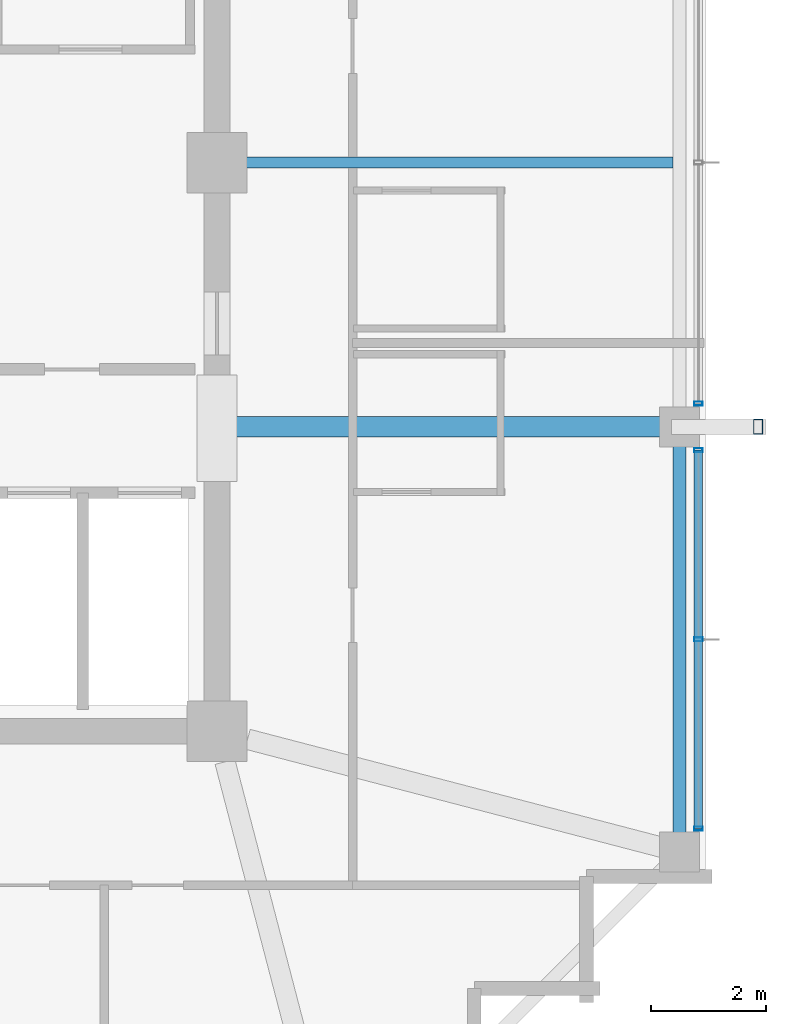
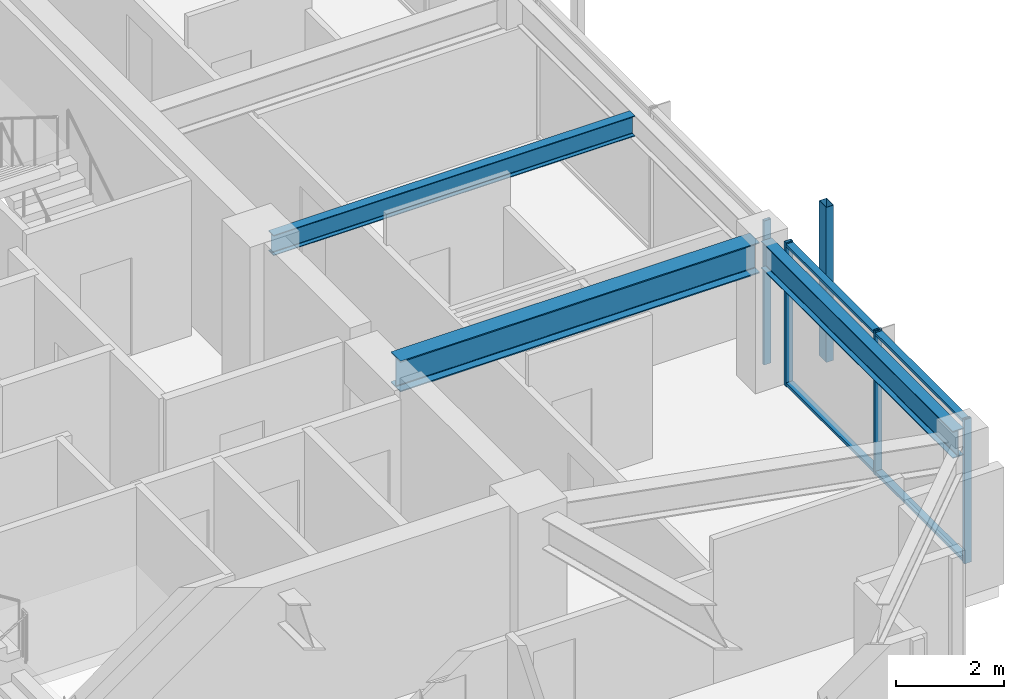
# One storey, part 11 of 31: 7 members, 3 beams, 2 elements without a shape of their own.
"""IFC4 building model written with IfcOpenShell, lengths in metres."""

from ifc_helpers import new_model, si_unit, direction, frame, origin, origin_2d, place, context, subcontext, project, spatial, hollow_rectangle, i_section, extrude, material, material_profile, profile_set, type_object, element, aggregate, save


model = new_model("IFC4")

# Units and contexts
model_context = context("Model", 3, precision=1e-05, world=origin(), true_north=direction((0.0, 1.0)))
body_context = subcontext(model_context, "Body", "Model", "MODEL_VIEW")
ifc_project = project(units=[si_unit("LENGTHUNIT", "METRE"), si_unit("AREAUNIT", "SQUARE_METRE"), si_unit("VOLUMEUNIT", "CUBIC_METRE"), si_unit("PLANEANGLEUNIT", "RADIAN"), si_unit("MASSUNIT", "GRAM", prefix="KILO")], contexts=[model_context])

# Site, building, storey
site_placement = place(None, origin())
site = spatial("IfcSite", under=ifc_project, at=site_placement, CompositionType="ELEMENT")
building_placement = place(site_placement, origin())
building = spatial("IfcBuilding", under=site, at=building_placement, Name="Kolvaren Belvedere", CompositionType="ELEMENT")
storey_placement = place(building_placement, frame((0.0, 0.0, 247.89990234375)))
storey = spatial("IfcBuildingStorey", under=building, at=storey_placement, Name="L72", CompositionType="ELEMENT", Elevation=247.89990234375)

# Beams
ifc_material_1 = material(Name="Structural steel ASTM A992 Grade 50", Category="steel")
ifc_material_profile_1 = material_profile(ifc_material_1, i_section(OverallWidth=0.35498046875, OverallDepth=0.696044921875, WebThickness=0.015380859375, FlangeThickness=0.02490234375, FilletRadius=0.02197265625, at=origin_2d()), Name="W27X146")
ifc_profile_set_1 = profile_set([ifc_material_profile_1], Name="Structural steel ASTM A992 Grade 50")
beam_type_1 = type_object("IfcBeamType", Name="BM-GIRD-W27X146", PredefinedType="BEAM", material=ifc_profile_set_1)
beam_1_placement = place(storey_placement, frame((10.125, -4.60009765625, 2.902099609375), z_axis=(1.0, 0.0, 0.0), x_axis=(0.0, 1.0, 0.0)))
element("IfcBeam", 1, at=beam_1_placement, inside=storey, type_object=beam_type_1, Name="L72 East Radial Girder M", PredefinedType="BEAM", context=body_context, shape_type="SweptSolid", body=[
    extrude(i_section(OverallWidth=0.35498046875, OverallDepth=0.696044921875, WebThickness=0.015380859375, FlangeThickness=0.02490234375, FilletRadius=0.02197265625, at=origin_2d()), origin(), (0.0, 0.0, 1.0), 7.66748046875),
])
ifc_material_2 = material(Name="Structural steel ASTM A992 Grade 50", Category="steel")
ifc_material_profile_2 = material_profile(ifc_material_2, i_section(OverallWidth=0.19091796875, OverallDepth=0.4599609375, WebThickness=0.010009765625, FlangeThickness=0.01611328125, FilletRadius=0.014892578125, at=origin_2d()), Name="W18X55")
ifc_profile_set_2 = profile_set([ifc_material_profile_2], Name="Structural steel ASTM A992 Grade 50")
beam_type_2 = type_object("IfcBeamType", Name="BM-JOIST-W18X55", PredefinedType="BEAM", material=ifc_profile_set_2)
beam_2_placement = place(storey_placement, frame((10.125, 0.0, 3.02001953125), z_axis=(1.0, 0.0, 0.0), x_axis=(0.0, 1.0, 0.0)))
element("IfcBeam", 2, at=beam_2_placement, inside=storey, type_object=beam_type_2, Name="L72 East Centre Floor Beam", PredefinedType="BEAM", context=body_context, shape_type="SweptSolid", body=[
    extrude(i_section(OverallWidth=0.19091796875, OverallDepth=0.4599609375, WebThickness=0.010009765625, FlangeThickness=0.01611328125, FilletRadius=0.014892578125, at=origin_2d()), origin(), (0.0, 0.0, 1.0), 7.71044921875),
])
ifc_material_3 = material(Name="Structural steel ASTM A992 Grade 50", Category="steel")
ifc_material_profile_3 = material_profile(ifc_material_3, i_section(OverallWidth=0.22900390625, OverallDepth=0.612060546875, WebThickness=0.011962890625, FlangeThickness=0.01953125, FilletRadius=0.01806640625, at=origin_2d()), Name="W24X84")
ifc_profile_set_3 = profile_set([ifc_material_profile_3], Name="Structural steel ASTM A992 Grade 50")
beam_type_3 = type_object("IfcBeamType", Name="BM-SPAN-W24X84", PredefinedType="SPANDREL", material=ifc_profile_set_3)
beam_3_placement = place(storey_placement, frame((17.949951171875, -11.842529296875, 2.944091796875), z_axis=(0.0, 1.0, 0.0), x_axis=(-1.0, 0.0, 0.0)))
element("IfcBeam", 3, at=beam_3_placement, inside=storey, type_object=beam_type_3, Name="L72 Perimeter Spandrel E1-E2", PredefinedType="SPANDREL", context=body_context, shape_type="SweptSolid", body=[
    extrude(i_section(OverallWidth=0.22900390625, OverallDepth=0.612060546875, WebThickness=0.011962890625, FlangeThickness=0.01953125, FilletRadius=0.01806640625, at=origin_2d()), origin(), (0.0, 0.0, 1.0), 7.0849609375),
])

# Curtain wall, member
ifc_material_4 = material(Name="Anodised pale-metal aluminium AA 6063-T6", Category="aluminium")
curtain_wall_type = type_object("IfcCurtainWallType", Name="CW-Z5-HIGH", PredefinedType="NOTDEFINED", material=ifc_material_4)
curtain_wall_1_placement = place(storey_placement, origin())
curtain_wall_1 = element("IfcCurtainWall", 4, at=curtain_wall_1_placement, inside=storey, type_object=curtain_wall_type, Name="L72 Unitised Curtain Wall FCW-L72-E-B2", PredefinedType="NOTDEFINED")
ifc_material_5 = material(Name="Anodised pale-metal aluminium AA 6063-T6", Category="aluminium")
ifc_material_profile_4 = material_profile(ifc_material_5, hollow_rectangle(XDim=0.070068359375, YDim=0.14990234375, WallThickness=0.004150390625, at=origin_2d()), Name="ALU-MUL-150X70")
ifc_profile_set_4 = profile_set([ifc_material_profile_4], Name="Anodised pale-metal aluminium AA 6063-T6")
member_type_1 = type_object("IfcMemberType", Name="CW-MUL-150", PredefinedType="MULLION", material=ifc_profile_set_4)
member_1_placement = place(storey_placement, frame((18.280029296875, -4.195068359375, 0.0), z_axis=(0.0, 0.0, 1.0), x_axis=(0.0, 1.0, 0.0)))
member_1 = element("IfcMember", 5, at=member_1_placement, type_object=member_type_1, Name="FCW-L72-E-B2 Unitised Mullion 3", PredefinedType="MULLION", context=body_context, shape_type="SweptSolid", body=[
    extrude(hollow_rectangle(XDim=0.070068359375, YDim=0.14990234375, WallThickness=0.004150390625, at=origin_2d()), origin(), (0.0, 0.0, 1.0), 3.25),
])
aggregate(curtain_wall_1, [member_1])

# Curtain wall, members
curtain_wall_2_placement = place(storey_placement, origin())
curtain_wall_2 = element("IfcCurtainWall", 6, at=curtain_wall_2_placement, inside=storey, type_object=curtain_wall_type, Name="L72 Unitised Curtain Wall FCW-L72-E-B3", PredefinedType="NOTDEFINED")
member_2_placement = place(storey_placement, frame((18.280029296875, -5.0048828125, 0.0), z_axis=(0.0, 0.0, 1.0), x_axis=(0.0, 1.0, 0.0)))
member_2 = element("IfcMember", 7, at=member_2_placement, type_object=member_type_1, Name="FCW-L72-E-B3 Unitised Mullion 1", PredefinedType="MULLION", context=body_context, shape_type="SweptSolid", body=[
    extrude(hollow_rectangle(XDim=0.070068359375, YDim=0.14990234375, WallThickness=0.004150390625, at=origin_2d()), origin(), (0.0, 0.0, 1.0), 3.25),
])
member_3_placement = place(storey_placement, frame((18.280029296875, -8.300048828125, 0.0), z_axis=(0.0, 0.0, 1.0), x_axis=(0.0, 1.0, 0.0)))
member_3 = element("IfcMember", 8, at=member_3_placement, type_object=member_type_1, Name="FCW-L72-E-B3 Unitised Mullion 2", PredefinedType="MULLION", context=body_context, shape_type="SweptSolid", body=[
    extrude(hollow_rectangle(XDim=0.070068359375, YDim=0.14990234375, WallThickness=0.004150390625, at=origin_2d()), origin(), (0.0, 0.0, 1.0), 3.25),
])
member_4_placement = place(storey_placement, frame((18.280029296875, -11.594970703125, 0.0), z_axis=(0.0, 0.0, 1.0), x_axis=(0.0, 1.0, 0.0)))
member_4 = element("IfcMember", 9, at=member_4_placement, type_object=member_type_1, Name="FCW-L72-E-B3 Unitised Mullion 3", PredefinedType="MULLION", context=body_context, shape_type="SweptSolid", body=[
    extrude(hollow_rectangle(XDim=0.070068359375, YDim=0.14990234375, WallThickness=0.004150390625, at=origin_2d()), origin(), (0.0, 0.0, 1.0), 3.25),
])
ifc_material_6 = material(Name="Anodised pale-metal aluminium AA 6063-T6", Category="aluminium")
ifc_material_profile_5 = material_profile(ifc_material_6, hollow_rectangle(XDim=0.06494140625, YDim=0.14990234375, WallThickness=0.00390625, at=origin_2d()), Name="ALU-TRN-150X65")
ifc_profile_set_5 = profile_set([ifc_material_profile_5], Name="Anodised pale-metal aluminium AA 6063-T6")
member_type_2 = type_object("IfcMemberType", Name="CW-TRN-150", PredefinedType="USERDEFINED", material=ifc_profile_set_5)
member_5_placement = place(storey_placement, frame((18.280029296875, -5.0048828125, 0.06005859375), z_axis=(0.0, -1.0, 0.0), x_axis=(0.0, 0.0, 1.0)))
member_5 = element("IfcMember", 10, at=member_5_placement, type_object=member_type_2, Name="FCW-L72-E-B3 Sill Transom", ObjectType="TRANSOM", PredefinedType="USERDEFINED", context=body_context, shape_type="SweptSolid", body=[
    extrude(hollow_rectangle(XDim=0.06494140625, YDim=0.14990234375, WallThickness=0.00390625, at=origin_2d()), origin(), (0.0, 0.0, 1.0), 6.590087890625),
])
member_6_placement = place(storey_placement, frame((18.280029296875, -5.0048828125, 3.190185546875), z_axis=(0.0, -1.0, 0.0), x_axis=(0.0, 0.0, 1.0)))
member_6 = element("IfcMember", 11, at=member_6_placement, type_object=member_type_2, Name="FCW-L72-E-B3 Head Transom", ObjectType="TRANSOM", PredefinedType="USERDEFINED", context=body_context, shape_type="SweptSolid", body=[
    extrude(hollow_rectangle(XDim=0.06494140625, YDim=0.14990234375, WallThickness=0.00390625, at=origin_2d()), origin(), (0.0, 0.0, 1.0), 6.590087890625),
])
aggregate(curtain_wall_2, [member_2, member_3, member_4, member_5, member_6])

# Member
ifc_material_7 = material(Name="Anodised pale-metal aluminium AA 6063-T6", Category="aluminium")
ifc_material_profile_6 = material_profile(ifc_material_7, hollow_rectangle(XDim=0.159912109375, YDim=0.260009765625, WallThickness=0.006591796875, at=origin_2d()), Name="ALU-PF-260X160")
ifc_profile_set_6 = profile_set([ifc_material_profile_6], Name="Anodised pale-metal aluminium AA 6063-T6")
member_type_3 = type_object("IfcMemberType", Name="PF-FRAME-260", PredefinedType="USERDEFINED", material=ifc_profile_set_6)
member_7_placement = place(storey_placement, frame((19.320068359375, -4.60009765625, 0.0), z_axis=(0.0, 0.0, 1.0), x_axis=(1.0, 0.0, 0.0)))
element("IfcMember", 12, at=member_7_placement, inside=storey, type_object=member_type_3, Name="L72 Outboard Picture-Frame Vertical E2", ObjectType="PICTURE FRAME FIN", PredefinedType="USERDEFINED", context=body_context, shape_type="SweptSolid", body=[
    extrude(hollow_rectangle(XDim=0.159912109375, YDim=0.260009765625, WallThickness=0.006591796875, at=origin_2d()), origin(), (0.0, 0.0, 1.0), 3.5),
])

save(model, "model.ifc")
